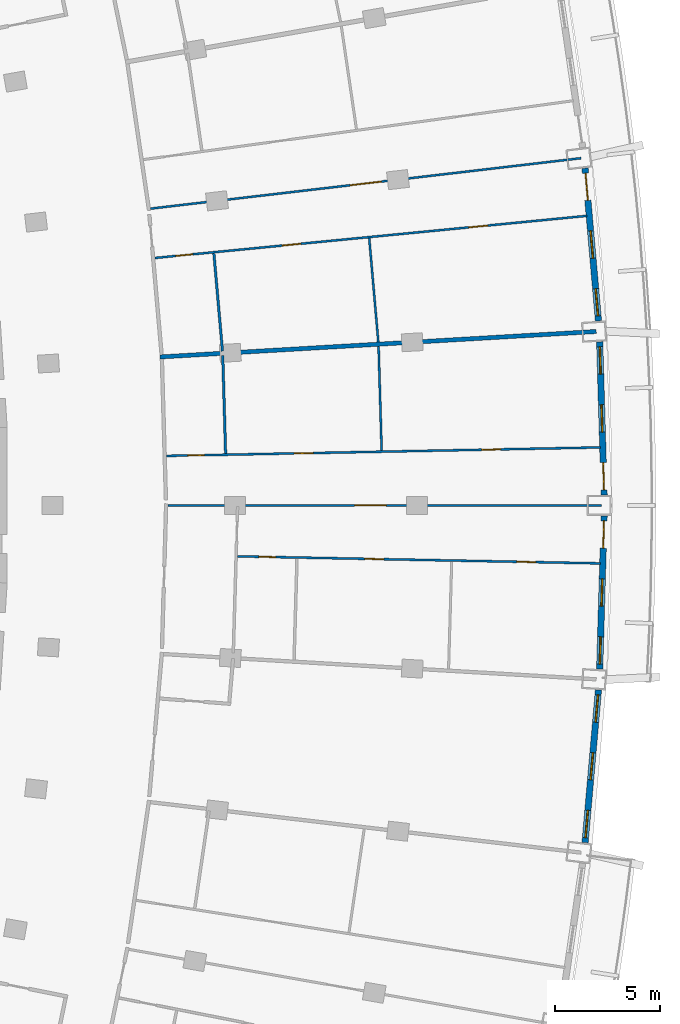
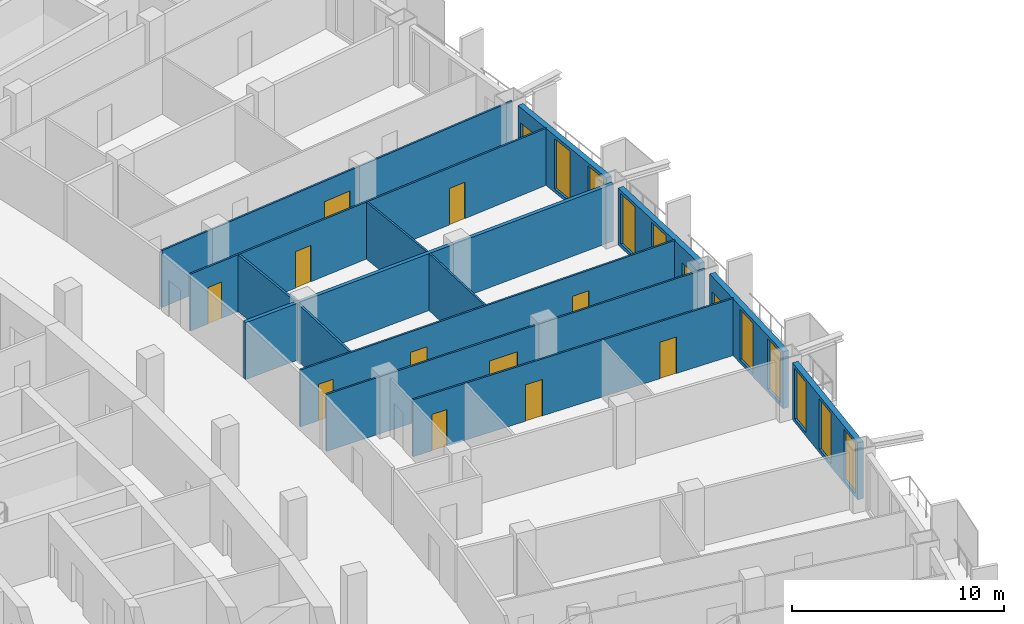
# One storey, part 18 of 25: 14 doors, 14 walls, 9 windows, 23 openings.
"""IFC4 building model written with IfcOpenShell, lengths in metres."""

from ifc_helpers import new_model, si_unit, direction, frame, frame_2d, origin, place, context, subcontext, project, spatial, rectangle, extrude, material, layer, layer_set, type_object, element, fill, save


model = new_model("IFC4")

# Units and contexts
model_context = context("Model", 3, precision=1e-05, world=origin(), true_north=direction((0.0, 1.0)))
body_context = subcontext(model_context, "Body", "Model", "MODEL_VIEW")
ifc_project = project(units=[si_unit("LENGTHUNIT", "METRE"), si_unit("AREAUNIT", "SQUARE_METRE"), si_unit("VOLUMEUNIT", "CUBIC_METRE"), si_unit("PLANEANGLEUNIT", "RADIAN"), si_unit("MASSUNIT", "GRAM", prefix="KILO")], contexts=[model_context])

# Site, building, storey
site_placement = place(None, origin())
site = spatial("IfcSite", under=ifc_project, at=site_placement, CompositionType="ELEMENT")
building_placement = place(site_placement, origin())
building = spatial("IfcBuilding", under=site, at=building_placement, Name="Alderwake Tower", CompositionType="ELEMENT")
storey_placement = place(building_placement, frame((0.0, 0.0, 86.0)))
storey = spatial("IfcBuildingStorey", under=building, at=storey_placement, Name="L20", CompositionType="ELEMENT", Elevation=86.0)

# Wall, openings, windows
ifc_material_1 = material(Name="Precast concrete C50/60 spandrel panel", Category="concrete")
ifc_layer_1 = layer(ifc_material_1, 0.300048828125)
ifc_layer_set_1 = layer_set([ifc_layer_1], Name="External wall EW1 Precast concrete C50/60 spandrel")
wall_type_1 = type_object("IfcWallType", Name="External wall EW1 Precast concrete C50/60 spandrel", PredefinedType="SOLIDWALL", material=ifc_layer_set_1)
wall_1_placement = place(storey_placement, frame((61.1279296875, 44.962158203125, 0.0), z_axis=(0.0, 0.0, 1.0), x_axis=(0.087408828745, 0.996172523541, 0.0)))
wall_1 = element("IfcWall", 1, at=wall_1_placement, inside=storey, type_object=wall_type_1, Name="External wall 15", PredefinedType="SOLIDWALL", context=body_context, shape_type="SweptSolid", body=[
    extrude(rectangle(XDim=7.287109375, YDim=0.300048828125, at=frame_2d((3.6435546875, 0.0))), origin(), (0.0, 0.0, 1.0), 3.280029296875),
])
opening_1_placement = place(wall_1_placement, frame((0.23681640625, 0.0, 0.199951171875)))
opening_1 = element("IfcOpeningElement", 2, at=opening_1_placement, cuts=wall_1, Name="Opening W1", PredefinedType="OPENING", context=body_context, shape_type="SweptSolid", body=[
    extrude(rectangle(XDim=1.300048828125, YDim=2.89990234375, at=frame_2d((0.64990234375, 1.449951171875))), frame((0.0, 0.159912109375, 0.0), z_axis=(0.0, -1.0, 0.0), x_axis=(1.0, 0.0, 0.0)), (0.0, 0.0, 1.0), 0.320068359375),
])
opening_2_placement = place(wall_1_placement, frame((2.99365234375, 0.0, 0.199951171875)))
opening_2 = element("IfcOpeningElement", 3, at=opening_2_placement, cuts=wall_1, Name="Opening W1", PredefinedType="OPENING", context=body_context, shape_type="SweptSolid", body=[
    extrude(rectangle(XDim=1.300048828125, YDim=2.89990234375, at=frame_2d((0.64990234375, 1.449951171875))), frame((0.0, 0.159912109375, 0.0), z_axis=(0.0, -1.0, 0.0), x_axis=(1.0, 0.0, 0.0)), (0.0, 0.0, 1.0), 0.320068359375),
])
opening_3_placement = place(wall_1_placement, frame((5.75048828125, 0.0, 0.199951171875)))
opening_3 = element("IfcOpeningElement", 4, at=opening_3_placement, cuts=wall_1, Name="Opening W1", PredefinedType="OPENING", context=body_context, shape_type="SweptSolid", body=[
    extrude(rectangle(XDim=1.300048828125, YDim=2.89990234375, at=frame_2d((0.64990234375, 1.449951171875))), frame((0.0, 0.159912109375, 0.0), z_axis=(0.0, -1.0, 0.0), x_axis=(1.0, 0.0, 0.0)), (0.0, 0.0, 1.0), 0.320068359375),
])
ifc_material_2 = material(Name="Bronze tinted glass in aluminium frame", Category="aluminium")
window_type = type_object("IfcWindowType", Name="Window W1 tall fixed and vent", PartitioningType="DOUBLE_PANEL_VERTICAL", PredefinedType="WINDOW", material=ifc_material_2)
window_1_placement = place(opening_1_placement, origin())
window_1 = element("IfcWindow", 5, at=window_1_placement, inside=storey, type_object=window_type, Name="Window W1 tall fixed and vent", OverallHeight=2.89990234375, OverallWidth=1.300048828125, PartitioningType="DOUBLE_PANEL_VERTICAL", PredefinedType="WINDOW", context=body_context, shape_type="SweptSolid", body=[
    extrude(rectangle(XDim=1.300048828125, YDim=2.89990234375, at=frame_2d((0.64990234375, 1.449951171875))), frame((0.0, 0.030029296875, 0.0), z_axis=(0.0, -1.0, 0.0), x_axis=(1.0, 0.0, 0.0)), (0.0, 0.0, 1.0), 0.06005859375),
])
fill(opening_1, window_1)
window_2_placement = place(opening_2_placement, origin())
window_2 = element("IfcWindow", 6, at=window_2_placement, inside=storey, type_object=window_type, Name="Window W1 tall fixed and vent", OverallHeight=2.89990234375, OverallWidth=1.300048828125, PartitioningType="DOUBLE_PANEL_VERTICAL", PredefinedType="WINDOW", context=body_context, shape_type="SweptSolid", body=[
    extrude(rectangle(XDim=1.300048828125, YDim=2.89990234375, at=frame_2d((0.64990234375, 1.449951171875))), frame((0.0, 0.030029296875, 0.0), z_axis=(0.0, -1.0, 0.0), x_axis=(1.0, 0.0, 0.0)), (0.0, 0.0, 1.0), 0.06005859375),
])
fill(opening_2, window_2)
window_3_placement = place(opening_3_placement, origin())
window_3 = element("IfcWindow", 7, at=window_3_placement, inside=storey, type_object=window_type, Name="Window W1 tall fixed and vent", OverallHeight=2.89990234375, OverallWidth=1.300048828125, PartitioningType="DOUBLE_PANEL_VERTICAL", PredefinedType="WINDOW", context=body_context, shape_type="SweptSolid", body=[
    extrude(rectangle(XDim=1.300048828125, YDim=2.89990234375, at=frame_2d((0.64990234375, 1.449951171875))), frame((0.0, 0.030029296875, 0.0), z_axis=(0.0, -1.0, 0.0), x_axis=(1.0, 0.0, 0.0)), (0.0, 0.0, 1.0), 0.06005859375),
])
fill(opening_3, window_3)

# Wall, openings, door, windows
wall_2_placement = place(storey_placement, frame((61.822998046875, 53.217041015625, 0.0), z_axis=(0.0, 0.0, 1.0), x_axis=(0.029146039904, 0.999575163936, 0.0)))
wall_2 = element("IfcWall", 8, at=wall_2_placement, inside=storey, type_object=wall_type_1, Name="External wall 16", PredefinedType="SOLIDWALL", context=body_context, shape_type="SweptSolid", body=[
    extrude(rectangle(XDim=7.28759765625, YDim=0.300048828125, at=frame_2d((3.643798828125, 0.0))), origin(), (0.0, 0.0, 1.0), 3.280029296875),
])
opening_4_placement = place(wall_2_placement, frame((0.23681640625, 0.0, 0.199951171875)))
opening_4 = element("IfcOpeningElement", 9, at=opening_4_placement, cuts=wall_2, Name="Opening W1", PredefinedType="OPENING", context=body_context, shape_type="SweptSolid", body=[
    extrude(rectangle(XDim=1.300048828125, YDim=2.89990234375, at=frame_2d((0.64990234375, 1.449951171875))), frame((0.0, 0.159912109375, 0.0), z_axis=(0.0, -1.0, 0.0), x_axis=(1.0, 0.0, 0.0)), (0.0, 0.0, 1.0), 0.320068359375),
])
opening_5_placement = place(wall_2_placement, frame((2.99365234375, 0.0, 0.199951171875)))
opening_5 = element("IfcOpeningElement", 10, at=opening_5_placement, cuts=wall_2, Name="Opening W1", PredefinedType="OPENING", context=body_context, shape_type="SweptSolid", body=[
    extrude(rectangle(XDim=1.300048828125, YDim=2.89990234375, at=frame_2d((0.64990234375, 1.449951171875))), frame((0.0, 0.159912109375, 0.0), z_axis=(0.0, -1.0, 0.0), x_axis=(1.0, 0.0, 0.0)), (0.0, 0.0, 1.0), 0.320068359375),
])
opening_6_placement = place(wall_2_placement, frame((5.75048828125, 0.0, 0.0)))
opening_6 = element("IfcOpeningElement", 11, at=opening_6_placement, cuts=wall_2, Name="Opening D06", PredefinedType="OPENING", context=body_context, shape_type="SweptSolid", body=[
    extrude(rectangle(XDim=1.300048828125, YDim=2.39990234375, at=frame_2d((0.64990234375, 1.199951171875))), frame((0.0, 0.159912109375, 0.0), z_axis=(0.0, -1.0, 0.0), x_axis=(1.0, 0.0, 0.0)), (0.0, 0.0, 1.0), 0.320068359375),
])
ifc_material_3 = material(Name="Bronze tinted glass in aluminium frame", Category="aluminium")
door_type_1 = type_object("IfcDoorType", Name="Balcony door BD sliding", OperationType="SLIDING_TO_LEFT", PredefinedType="DOOR", material=ifc_material_3)
door_1_placement = place(opening_6_placement, origin())
door_1 = element("IfcDoor", 12, at=door_1_placement, inside=storey, type_object=door_type_1, Name="Door D06", OperationType="SLIDING_TO_LEFT", OverallHeight=2.39990234375, OverallWidth=1.300048828125, PredefinedType="DOOR", context=body_context, shape_type="SweptSolid", body=[
    extrude(rectangle(XDim=1.300048828125, YDim=2.39990234375, at=frame_2d((0.64990234375, 1.199951171875))), frame((0.0, 0.02490234375, 0.0), z_axis=(0.0, -1.0, 0.0), x_axis=(1.0, 0.0, 0.0)), (0.0, 0.0, 1.0), 0.050048828125),
])
fill(opening_6, door_1)
window_4_placement = place(opening_4_placement, origin())
window_4 = element("IfcWindow", 13, at=window_4_placement, inside=storey, type_object=window_type, Name="Window W1 tall fixed and vent", OverallHeight=2.89990234375, OverallWidth=1.300048828125, PartitioningType="DOUBLE_PANEL_VERTICAL", PredefinedType="WINDOW", context=body_context, shape_type="SweptSolid", body=[
    extrude(rectangle(XDim=1.300048828125, YDim=2.89990234375, at=frame_2d((0.64990234375, 1.449951171875))), frame((0.0, 0.030029296875, 0.0), z_axis=(0.0, -1.0, 0.0), x_axis=(1.0, 0.0, 0.0)), (0.0, 0.0, 1.0), 0.06005859375),
])
fill(opening_4, window_4)
window_5_placement = place(opening_5_placement, origin())
window_5 = element("IfcWindow", 14, at=window_5_placement, inside=storey, type_object=window_type, Name="Window W1 tall fixed and vent", OverallHeight=2.89990234375, OverallWidth=1.300048828125, PartitioningType="DOUBLE_PANEL_VERTICAL", PredefinedType="WINDOW", context=body_context, shape_type="SweptSolid", body=[
    extrude(rectangle(XDim=1.300048828125, YDim=2.89990234375, at=frame_2d((0.64990234375, 1.449951171875))), frame((0.0, 0.030029296875, 0.0), z_axis=(0.0, -1.0, 0.0), x_axis=(1.0, 0.0, 0.0)), (0.0, 0.0, 1.0), 0.06005859375),
])
fill(opening_5, window_5)

wall_3_placement = place(storey_placement, frame((62.035400390625, 61.49853515625, 0.0), z_axis=(0.0, 0.0, 1.0), x_axis=(-0.029146039904, 0.999575163936, 0.0)))
wall_3 = element("IfcWall", 15, at=wall_3_placement, inside=storey, type_object=wall_type_1, Name="External wall 17", PredefinedType="SOLIDWALL", context=body_context, shape_type="SweptSolid", body=[
    extrude(rectangle(XDim=7.28759765625, YDim=0.300048828125, at=frame_2d((3.643798828125, 0.0))), origin(), (0.0, 0.0, 1.0), 3.280029296875),
])
opening_7_placement = place(wall_3_placement, frame((0.23681640625, 0.0, 0.0)))
opening_7 = element("IfcOpeningElement", 16, at=opening_7_placement, cuts=wall_3, Name="Opening D07", PredefinedType="OPENING", context=body_context, shape_type="SweptSolid", body=[
    extrude(rectangle(XDim=1.300048828125, YDim=2.39990234375, at=frame_2d((0.64990234375, 1.199951171875))), frame((0.0, 0.159912109375, 0.0), z_axis=(0.0, -1.0, 0.0), x_axis=(1.0, 0.0, 0.0)), (0.0, 0.0, 1.0), 0.320068359375),
])
opening_8_placement = place(wall_3_placement, frame((2.99365234375, 0.0, 0.199951171875)))
opening_8 = element("IfcOpeningElement", 17, at=opening_8_placement, cuts=wall_3, Name="Opening W1", PredefinedType="OPENING", context=body_context, shape_type="SweptSolid", body=[
    extrude(rectangle(XDim=1.300048828125, YDim=2.89990234375, at=frame_2d((0.64990234375, 1.449951171875))), frame((0.0, 0.159912109375, 0.0), z_axis=(0.0, -1.0, 0.0), x_axis=(1.0, 0.0, 0.0)), (0.0, 0.0, 1.0), 0.320068359375),
])
opening_9_placement = place(wall_3_placement, frame((5.75048828125, 0.0, 0.199951171875)))
opening_9 = element("IfcOpeningElement", 18, at=opening_9_placement, cuts=wall_3, Name="Opening W1", PredefinedType="OPENING", context=body_context, shape_type="SweptSolid", body=[
    extrude(rectangle(XDim=1.300048828125, YDim=2.89990234375, at=frame_2d((0.64990234375, 1.449951171875))), frame((0.0, 0.159912109375, 0.0), z_axis=(0.0, -1.0, 0.0), x_axis=(1.0, 0.0, 0.0)), (0.0, 0.0, 1.0), 0.320068359375),
])
door_2_placement = place(opening_7_placement, origin())
door_2 = element("IfcDoor", 19, at=door_2_placement, inside=storey, type_object=door_type_1, Name="Door D07", OperationType="SLIDING_TO_LEFT", OverallHeight=2.39990234375, OverallWidth=1.300048828125, PredefinedType="DOOR", context=body_context, shape_type="SweptSolid", body=[
    extrude(rectangle(XDim=1.300048828125, YDim=2.39990234375, at=frame_2d((0.64990234375, 1.199951171875))), frame((0.0, 0.02490234375, 0.0), z_axis=(0.0, -1.0, 0.0), x_axis=(1.0, 0.0, 0.0)), (0.0, 0.0, 1.0), 0.050048828125),
])
fill(opening_7, door_2)
window_6_placement = place(opening_8_placement, origin())
window_6 = element("IfcWindow", 20, at=window_6_placement, inside=storey, type_object=window_type, Name="Window W1 tall fixed and vent", OverallHeight=2.89990234375, OverallWidth=1.300048828125, PartitioningType="DOUBLE_PANEL_VERTICAL", PredefinedType="WINDOW", context=body_context, shape_type="SweptSolid", body=[
    extrude(rectangle(XDim=1.300048828125, YDim=2.89990234375, at=frame_2d((0.64990234375, 1.449951171875))), frame((0.0, 0.030029296875, 0.0), z_axis=(0.0, -1.0, 0.0), x_axis=(1.0, 0.0, 0.0)), (0.0, 0.0, 1.0), 0.06005859375),
])
fill(opening_8, window_6)
window_7_placement = place(opening_9_placement, origin())
window_7 = element("IfcWindow", 21, at=window_7_placement, inside=storey, type_object=window_type, Name="Window W1 tall fixed and vent", OverallHeight=2.89990234375, OverallWidth=1.300048828125, PartitioningType="DOUBLE_PANEL_VERTICAL", PredefinedType="WINDOW", context=body_context, shape_type="SweptSolid", body=[
    extrude(rectangle(XDim=1.300048828125, YDim=2.89990234375, at=frame_2d((0.64990234375, 1.449951171875))), frame((0.0, 0.030029296875, 0.0), z_axis=(0.0, -1.0, 0.0), x_axis=(1.0, 0.0, 0.0)), (0.0, 0.0, 1.0), 0.06005859375),
])
fill(opening_9, window_7)

wall_4_placement = place(storey_placement, frame((61.764892578125, 69.778564453125, 0.0), z_axis=(0.0, 0.0, 1.0), x_axis=(-0.087408828745, 0.996172523541, 0.0)))
wall_4 = element("IfcWall", 22, at=wall_4_placement, inside=storey, type_object=wall_type_1, Name="External wall 18", PredefinedType="SOLIDWALL", context=body_context, shape_type="SweptSolid", body=[
    extrude(rectangle(XDim=7.287109375, YDim=0.300048828125, at=frame_2d((3.6435546875, 0.0))), origin(), (0.0, 0.0, 1.0), 3.280029296875),
])
opening_10_placement = place(wall_4_placement, frame((0.23681640625, 0.0, 0.199951171875)))
opening_10 = element("IfcOpeningElement", 23, at=opening_10_placement, cuts=wall_4, Name="Opening W1", PredefinedType="OPENING", context=body_context, shape_type="SweptSolid", body=[
    extrude(rectangle(XDim=1.300048828125, YDim=2.89990234375, at=frame_2d((0.64990234375, 1.449951171875))), frame((0.0, 0.159912109375, 0.0), z_axis=(0.0, -1.0, 0.0), x_axis=(1.0, 0.0, 0.0)), (0.0, 0.0, 1.0), 0.320068359375),
])
opening_11_placement = place(wall_4_placement, frame((2.99365234375, 0.0, 0.199951171875)))
opening_11 = element("IfcOpeningElement", 24, at=opening_11_placement, cuts=wall_4, Name="Opening W1", PredefinedType="OPENING", context=body_context, shape_type="SweptSolid", body=[
    extrude(rectangle(XDim=1.300048828125, YDim=2.89990234375, at=frame_2d((0.64990234375, 1.449951171875))), frame((0.0, 0.159912109375, 0.0), z_axis=(0.0, -1.0, 0.0), x_axis=(1.0, 0.0, 0.0)), (0.0, 0.0, 1.0), 0.320068359375),
])
opening_12_placement = place(wall_4_placement, frame((5.75048828125, 0.0, 0.0)))
opening_12 = element("IfcOpeningElement", 25, at=opening_12_placement, cuts=wall_4, Name="Opening D08", PredefinedType="OPENING", context=body_context, shape_type="SweptSolid", body=[
    extrude(rectangle(XDim=1.300048828125, YDim=2.39990234375, at=frame_2d((0.64990234375, 1.199951171875))), frame((0.0, 0.159912109375, 0.0), z_axis=(0.0, -1.0, 0.0), x_axis=(1.0, 0.0, 0.0)), (0.0, 0.0, 1.0), 0.320068359375),
])
door_3_placement = place(opening_12_placement, origin())
door_3 = element("IfcDoor", 26, at=door_3_placement, inside=storey, type_object=door_type_1, Name="Door D08", OperationType="SLIDING_TO_LEFT", OverallHeight=2.39990234375, OverallWidth=1.300048828125, PredefinedType="DOOR", context=body_context, shape_type="SweptSolid", body=[
    extrude(rectangle(XDim=1.300048828125, YDim=2.39990234375, at=frame_2d((0.64990234375, 1.199951171875))), frame((0.0, 0.02490234375, 0.0), z_axis=(0.0, -1.0, 0.0), x_axis=(1.0, 0.0, 0.0)), (0.0, 0.0, 1.0), 0.050048828125),
])
fill(opening_12, door_3)
window_8_placement = place(opening_10_placement, origin())
window_8 = element("IfcWindow", 27, at=window_8_placement, inside=storey, type_object=window_type, Name="Window W1 tall fixed and vent", OverallHeight=2.89990234375, OverallWidth=1.300048828125, PartitioningType="DOUBLE_PANEL_VERTICAL", PredefinedType="WINDOW", context=body_context, shape_type="SweptSolid", body=[
    extrude(rectangle(XDim=1.300048828125, YDim=2.89990234375, at=frame_2d((0.64990234375, 1.449951171875))), frame((0.0, 0.030029296875, 0.0), z_axis=(0.0, -1.0, 0.0), x_axis=(1.0, 0.0, 0.0)), (0.0, 0.0, 1.0), 0.06005859375),
])
fill(opening_10, window_8)
window_9_placement = place(opening_11_placement, origin())
window_9 = element("IfcWindow", 28, at=window_9_placement, inside=storey, type_object=window_type, Name="Window W1 tall fixed and vent", OverallHeight=2.89990234375, OverallWidth=1.300048828125, PartitioningType="DOUBLE_PANEL_VERTICAL", PredefinedType="WINDOW", context=body_context, shape_type="SweptSolid", body=[
    extrude(rectangle(XDim=1.300048828125, YDim=2.89990234375, at=frame_2d((0.64990234375, 1.449951171875))), frame((0.0, 0.030029296875, 0.0), z_axis=(0.0, -1.0, 0.0), x_axis=(1.0, 0.0, 0.0)), (0.0, 0.0, 1.0), 0.06005859375),
])
fill(opening_11, window_9)

# Wall
ifc_material_4 = material(Name="Dense block masonry wall", Category="masonry")
ifc_layer_2 = layer(ifc_material_4, 0.199951171875)
ifc_layer_set_2 = layer_set([ifc_layer_2], Name="Party wall 200")
wall_type_2 = type_object("IfcWallType", Name="Party wall 200", PredefinedType="SOLIDWALL", material=ifc_layer_set_2)
wall_5_placement = place(storey_placement, frame((61.658935546875, 69.27294921875, 0.0), z_axis=(0.0, 0.0, 1.0), x_axis=(-0.998301170221, -0.05826468515, 0.0)))
element("IfcWall", 29, at=wall_5_placement, inside=storey, type_object=wall_type_2, Name="WL/L20/W10", PredefinedType="SOLIDWALL", context=body_context, shape_type="SweptSolid", body=[
    extrude(rectangle(XDim=20.779296875, YDim=0.199951171875, at=frame_2d((10.3896484375, 0.0))), origin(), (0.0, 0.0, 1.0), 3.280029296875),
])

# Wall, openings, doors
ifc_material_5 = material(Name="Gypsum board on metal studs")
ifc_layer_3 = layer(ifc_material_5, 0.10009765625)
ifc_layer_set_3 = layer_set([ifc_layer_3], Name="Unit partition 100")
wall_type_3 = type_object("IfcWallType", Name="Unit partition 100", PredefinedType="PARTITIONING", material=ifc_layer_set_3)
wall_6_placement = place(storey_placement, frame((61.22705078125, 74.77490234375, 0.0), z_axis=(0.0, 0.0, 1.0), x_axis=(-0.995280953479, -0.097035167034, 0.0)))
wall_6 = element("IfcWall", 30, at=wall_6_placement, inside=storey, type_object=wall_type_3, Name="WL/L20/W70", PredefinedType="PARTITIONING", context=body_context, shape_type="SweptSolid", body=[
    extrude(rectangle(XDim=20.663818359375, YDim=0.10009765625, at=frame_2d((10.33203125, 0.0))), origin(), (0.0, 0.0, 1.0), 3.280029296875),
])
opening_13_placement = place(wall_6_placement, frame((13.681640625, 0.0, 0.0)))
opening_13 = element("IfcOpeningElement", 31, at=opening_13_placement, cuts=wall_6, Name="Opening R05-U07.1", PredefinedType="OPENING", context=body_context, shape_type="SweptSolid", body=[
    extrude(rectangle(XDim=0.89990234375, YDim=2.10009765625, at=frame_2d((0.449951171875, 1.050048828125))), frame((0.0, 0.06005859375, 0.0), z_axis=(0.0, -1.0, 0.0), x_axis=(1.0, 0.0, 0.0)), (0.0, 0.0, 1.0), 0.1201171875),
])
opening_14_placement = place(wall_6_placement, frame((18.85400390625, 0.0, 0.0)))
opening_14 = element("IfcOpeningElement", 32, at=opening_14_placement, cuts=wall_6, Name="Opening R05-U07.3", PredefinedType="OPENING", context=body_context, shape_type="SweptSolid", body=[
    extrude(rectangle(XDim=0.800048828125, YDim=2.10009765625, at=frame_2d((0.39990234375, 1.050048828125))), frame((0.0, 0.06005859375, 0.0), z_axis=(0.0, -1.0, 0.0), x_axis=(1.0, 0.0, 0.0)), (0.0, 0.0, 1.0), 0.1201171875),
])
opening_15_placement = place(wall_6_placement, frame((4.759765625, 0.0, 0.0)))
opening_15 = element("IfcOpeningElement", 33, at=opening_15_placement, cuts=wall_6, Name="Opening R05-U07.4", PredefinedType="OPENING", context=body_context, shape_type="SweptSolid", body=[
    extrude(rectangle(XDim=0.89990234375, YDim=2.10009765625, at=frame_2d((0.449951171875, 1.050048828125))), frame((0.0, 0.06005859375, 0.0), z_axis=(0.0, -1.0, 0.0), x_axis=(1.0, 0.0, 0.0)), (0.0, 0.0, 1.0), 0.1201171875),
])
ifc_material_6 = material(Name="Painted timber leaf", Category="wood")
door_type_2 = type_object("IfcDoorType", Name="Bathroom door 800", OperationType="SINGLE_SWING_LEFT", PredefinedType="DOOR", material=ifc_material_6)
door_4_placement = place(opening_14_placement, origin())
door_4 = element("IfcDoor", 34, at=door_4_placement, inside=storey, type_object=door_type_2, Name="DR/L20/U07.3", OperationType="SINGLE_SWING_LEFT", OverallHeight=2.10009765625, OverallWidth=0.800048828125, PredefinedType="DOOR", context=body_context, shape_type="SweptSolid", body=[
    extrude(rectangle(XDim=0.800048828125, YDim=2.10009765625, at=frame_2d((0.39990234375, 1.050048828125))), frame((0.0, 0.02490234375, 0.0), z_axis=(0.0, -1.0, 0.0), x_axis=(1.0, 0.0, 0.0)), (0.0, 0.0, 1.0), 0.050048828125),
])
fill(opening_14, door_4)
ifc_material_7 = material(Name="Painted timber leaf", Category="wood")
door_type_3 = type_object("IfcDoorType", Name="Room door 900", OperationType="SINGLE_SWING_LEFT", PredefinedType="DOOR", material=ifc_material_7)
door_5_placement = place(opening_13_placement, origin())
door_5 = element("IfcDoor", 35, at=door_5_placement, inside=storey, type_object=door_type_3, Name="DR/L20/U07.1", OperationType="SINGLE_SWING_LEFT", OverallHeight=2.10009765625, OverallWidth=0.89990234375, PredefinedType="DOOR", context=body_context, shape_type="SweptSolid", body=[
    extrude(rectangle(XDim=0.89990234375, YDim=2.10009765625, at=frame_2d((0.449951171875, 1.050048828125))), frame((0.0, 0.02490234375, 0.0), z_axis=(0.0, -1.0, 0.0), x_axis=(1.0, 0.0, 0.0)), (0.0, 0.0, 1.0), 0.050048828125),
])
fill(opening_13, door_5)
door_6_placement = place(opening_15_placement, origin())
door_6 = element("IfcDoor", 36, at=door_6_placement, inside=storey, type_object=door_type_3, Name="DR/L20/U07.4", OperationType="SINGLE_SWING_LEFT", OverallHeight=2.10009765625, OverallWidth=0.89990234375, PredefinedType="DOOR", context=body_context, shape_type="SweptSolid", body=[
    extrude(rectangle(XDim=0.89990234375, YDim=2.10009765625, at=frame_2d((0.449951171875, 1.050048828125))), frame((0.0, 0.02490234375, 0.0), z_axis=(0.0, -1.0, 0.0), x_axis=(1.0, 0.0, 0.0)), (0.0, 0.0, 1.0), 0.050048828125),
])
fill(opening_15, door_6)

wall_7_placement = place(storey_placement, frame((41.2099609375, 63.355712890625, 0.0), z_axis=(0.0, 0.0, 1.0), x_axis=(0.999809484555, 0.019519082812, 0.0)))
wall_7 = element("IfcWall", 37, at=wall_7_placement, inside=storey, type_object=wall_type_3, Name="WL/L20/W71", PredefinedType="PARTITIONING", context=body_context, shape_type="SweptSolid", body=[
    extrude(rectangle(XDim=20.662841796875, YDim=0.10009765625, at=frame_2d((10.33154296875, 0.0))), origin(), (0.0, 0.0, 1.0), 3.280029296875),
])
opening_16_placement = place(wall_7_placement, frame((6.082763671875, 0.0, 0.0)))
opening_16 = element("IfcOpeningElement", 38, at=opening_16_placement, cuts=wall_7, Name="Opening R05-U06.6", PredefinedType="OPENING", context=body_context, shape_type="SweptSolid", body=[
    extrude(rectangle(XDim=0.89990234375, YDim=2.10009765625, at=frame_2d((0.449951171875, 1.050048828125))), frame((0.0, 0.06005859375, 0.0), z_axis=(0.0, -1.0, 0.0), x_axis=(1.0, 0.0, 0.0)), (0.0, 0.0, 1.0), 0.1201171875),
])
opening_17_placement = place(wall_7_placement, frame((1.010009765625, 0.0, 0.0)))
opening_17 = element("IfcOpeningElement", 39, at=opening_17_placement, cuts=wall_7, Name="Opening R05-U06.7", PredefinedType="OPENING", context=body_context, shape_type="SweptSolid", body=[
    extrude(rectangle(XDim=0.800048828125, YDim=2.10009765625, at=frame_2d((0.39990234375, 1.050048828125))), frame((0.0, 0.06005859375, 0.0), z_axis=(0.0, -1.0, 0.0), x_axis=(1.0, 0.0, 0.0)), (0.0, 0.0, 1.0), 0.1201171875),
])
opening_18_placement = place(wall_7_placement, frame((15.004150390625, 0.0, 0.0)))
opening_18 = element("IfcOpeningElement", 40, at=opening_18_placement, cuts=wall_7, Name="Opening R05-U06.8", PredefinedType="OPENING", context=body_context, shape_type="SweptSolid", body=[
    extrude(rectangle(XDim=0.89990234375, YDim=2.10009765625, at=frame_2d((0.449951171875, 1.050048828125))), frame((0.0, 0.06005859375, 0.0), z_axis=(0.0, -1.0, 0.0), x_axis=(1.0, 0.0, 0.0)), (0.0, 0.0, 1.0), 0.1201171875),
])
door_7_placement = place(opening_17_placement, origin())
door_7 = element("IfcDoor", 41, at=door_7_placement, inside=storey, type_object=door_type_2, Name="DR/L20/U06.7", OperationType="SINGLE_SWING_LEFT", OverallHeight=2.10009765625, OverallWidth=0.800048828125, PredefinedType="DOOR", context=body_context, shape_type="SweptSolid", body=[
    extrude(rectangle(XDim=0.800048828125, YDim=2.10009765625, at=frame_2d((0.39990234375, 1.050048828125))), frame((0.0, 0.02490234375, 0.0), z_axis=(0.0, -1.0, 0.0), x_axis=(1.0, 0.0, 0.0)), (0.0, 0.0, 1.0), 0.050048828125),
])
fill(opening_17, door_7)
door_8_placement = place(opening_16_placement, origin())
door_8 = element("IfcDoor", 42, at=door_8_placement, inside=storey, type_object=door_type_3, Name="DR/L20/U06.6", OperationType="SINGLE_SWING_LEFT", OverallHeight=2.10009765625, OverallWidth=0.89990234375, PredefinedType="DOOR", context=body_context, shape_type="SweptSolid", body=[
    extrude(rectangle(XDim=0.89990234375, YDim=2.10009765625, at=frame_2d((0.449951171875, 1.050048828125))), frame((0.0, 0.02490234375, 0.0), z_axis=(0.0, -1.0, 0.0), x_axis=(1.0, 0.0, 0.0)), (0.0, 0.0, 1.0), 0.050048828125),
])
fill(opening_16, door_8)
door_9_placement = place(opening_18_placement, origin())
door_9 = element("IfcDoor", 43, at=door_9_placement, inside=storey, type_object=door_type_3, Name="DR/L20/U06.8", OperationType="SINGLE_SWING_LEFT", OverallHeight=2.10009765625, OverallWidth=0.89990234375, PredefinedType="DOOR", context=body_context, shape_type="SweptSolid", body=[
    extrude(rectangle(XDim=0.89990234375, YDim=2.10009765625, at=frame_2d((0.449951171875, 1.050048828125))), frame((0.0, 0.02490234375, 0.0), z_axis=(0.0, -1.0, 0.0), x_axis=(1.0, 0.0, 0.0)), (0.0, 0.0, 1.0), 0.050048828125),
])
fill(opening_18, door_9)

# Wall, opening, door
wall_8_placement = place(storey_placement, frame((41.279052734375, 60.9990234375, 0.0), z_axis=(0.0, 0.0, 1.0), x_axis=(1.0, 0.0, 0.0)))
wall_8 = element("IfcWall", 44, at=wall_8_placement, inside=storey, type_object=wall_type_3, Name="WL/L20/W72", PredefinedType="PARTITIONING", context=body_context, shape_type="SweptSolid", body=[
    extrude(rectangle(XDim=20.619873046875, YDim=0.10009765625, at=frame_2d((10.31005859375, 0.0))), origin(), (0.0, 0.0, 1.0), 3.280029296875),
])
opening_19_placement = place(wall_8_placement, frame((8.886474609375, 0.0, 0.0)))
opening_19 = element("IfcOpeningElement", 45, at=opening_19_placement, cuts=wall_8, Name="Opening R05-U06.9", PredefinedType="OPENING", context=body_context, shape_type="SweptSolid", body=[
    extrude(rectangle(XDim=1.5, YDim=2.10009765625, at=frame_2d((0.75, 1.050048828125))), frame((0.0, 0.06005859375, 0.0), z_axis=(0.0, -1.0, 0.0), x_axis=(1.0, 0.0, 0.0)), (0.0, 0.0, 1.0), 0.1201171875),
])
ifc_material_8 = material(Name="Painted timber leaves", Category="wood")
door_type_4 = type_object("IfcDoorType", Name="Double leaf door 1500", OperationType="DOUBLE_DOOR_SINGLE_SWING", PredefinedType="DOOR", material=ifc_material_8)
door_10_placement = place(opening_19_placement, origin())
door_10 = element("IfcDoor", 46, at=door_10_placement, inside=storey, type_object=door_type_4, Name="DR/L20/U06.9", OperationType="DOUBLE_DOOR_SINGLE_SWING", OverallHeight=2.10009765625, OverallWidth=1.5, PredefinedType="DOOR", context=body_context, shape_type="SweptSolid", body=[
    extrude(rectangle(XDim=1.5, YDim=2.10009765625, at=frame_2d((0.75, 1.050048828125))), frame((0.0, 0.02490234375, 0.0), z_axis=(0.0, -1.0, 0.0), x_axis=(1.0, 0.0, 0.0)), (0.0, 0.0, 1.0), 0.050048828125),
])
fill(opening_19, door_10)

# Wall, openings, doors
wall_9_placement = place(storey_placement, frame((61.868896484375, 58.241943359375, 0.0), z_axis=(0.0, 0.0, 1.0), x_axis=(-0.999812172455, 0.019380913569, 0.0)))
wall_9 = element("IfcWall", 47, at=wall_9_placement, inside=storey, type_object=wall_type_3, Name="WL/L20/W73", PredefinedType="PARTITIONING", context=body_context, shape_type="SweptSolid", body=[
    extrude(rectangle(XDim=17.282958984375, YDim=0.10009765625, at=frame_2d((8.6416015625, 0.0))), origin(), (0.0, 0.0, 1.0), 3.280029296875),
])
opening_20_placement = place(wall_9_placement, frame((10.31396484375, 0.0, 0.0)))
opening_20 = element("IfcOpeningElement", 48, at=opening_20_placement, cuts=wall_9, Name="Opening R05-U06.1", PredefinedType="OPENING", context=body_context, shape_type="SweptSolid", body=[
    extrude(rectangle(XDim=0.89990234375, YDim=2.10009765625, at=frame_2d((0.449951171875, 1.050048828125))), frame((0.0, 0.06005859375, 0.0), z_axis=(0.0, -1.0, 0.0), x_axis=(1.0, 0.0, 0.0)), (0.0, 0.0, 1.0), 0.1201171875),
])
opening_21_placement = place(wall_9_placement, frame((15.463623046875, 0.0, 0.0)))
opening_21 = element("IfcOpeningElement", 49, at=opening_21_placement, cuts=wall_9, Name="Opening R05-U06.4", PredefinedType="OPENING", context=body_context, shape_type="SweptSolid", body=[
    extrude(rectangle(XDim=0.800048828125, YDim=2.10009765625, at=frame_2d((0.39990234375, 1.050048828125))), frame((0.0, 0.06005859375, 0.0), z_axis=(0.0, -1.0, 0.0), x_axis=(1.0, 0.0, 0.0)), (0.0, 0.0, 1.0), 0.1201171875),
])
opening_22_placement = place(wall_9_placement, frame((3.091796875, 0.0, 0.0)))
opening_22 = element("IfcOpeningElement", 50, at=opening_22_placement, cuts=wall_9, Name="Opening R05-U06.5", PredefinedType="OPENING", context=body_context, shape_type="SweptSolid", body=[
    extrude(rectangle(XDim=0.89990234375, YDim=2.10009765625, at=frame_2d((0.449951171875, 1.050048828125))), frame((0.0, 0.06005859375, 0.0), z_axis=(0.0, -1.0, 0.0), x_axis=(1.0, 0.0, 0.0)), (0.0, 0.0, 1.0), 0.1201171875),
])
door_11_placement = place(opening_21_placement, origin())
door_11 = element("IfcDoor", 51, at=door_11_placement, inside=storey, type_object=door_type_2, Name="DR/L20/U06.4", OperationType="SINGLE_SWING_LEFT", OverallHeight=2.10009765625, OverallWidth=0.800048828125, PredefinedType="DOOR", context=body_context, shape_type="SweptSolid", body=[
    extrude(rectangle(XDim=0.800048828125, YDim=2.10009765625, at=frame_2d((0.39990234375, 1.050048828125))), frame((0.0, 0.02490234375, 0.0), z_axis=(0.0, -1.0, 0.0), x_axis=(1.0, 0.0, 0.0)), (0.0, 0.0, 1.0), 0.050048828125),
])
fill(opening_21, door_11)
door_12_placement = place(opening_20_placement, origin())
door_12 = element("IfcDoor", 52, at=door_12_placement, inside=storey, type_object=door_type_3, Name="DR/L20/U06.1", OperationType="SINGLE_SWING_LEFT", OverallHeight=2.10009765625, OverallWidth=0.89990234375, PredefinedType="DOOR", context=body_context, shape_type="SweptSolid", body=[
    extrude(rectangle(XDim=0.89990234375, YDim=2.10009765625, at=frame_2d((0.449951171875, 1.050048828125))), frame((0.0, 0.02490234375, 0.0), z_axis=(0.0, -1.0, 0.0), x_axis=(1.0, 0.0, 0.0)), (0.0, 0.0, 1.0), 0.050048828125),
])
fill(opening_20, door_12)
door_13_placement = place(opening_22_placement, origin())
door_13 = element("IfcDoor", 53, at=door_13_placement, inside=storey, type_object=door_type_3, Name="DR/L20/U06.5", OperationType="SINGLE_SWING_LEFT", OverallHeight=2.10009765625, OverallWidth=0.89990234375, PredefinedType="DOOR", context=body_context, shape_type="SweptSolid", body=[
    extrude(rectangle(XDim=0.89990234375, YDim=2.10009765625, at=frame_2d((0.449951171875, 1.050048828125))), frame((0.0, 0.02490234375, 0.0), z_axis=(0.0, -1.0, 0.0), x_axis=(1.0, 0.0, 0.0)), (0.0, 0.0, 1.0), 0.050048828125),
])
fill(opening_22, door_13)

# Walls
wall_10_placement = place(storey_placement, frame((51.294189453125, 68.7666015625, 0.0), z_axis=(0.0, 0.0, 1.0), x_axis=(-0.087352937881, 0.996177426086, 0.0)))
element("IfcWall", 54, at=wall_10_placement, inside=storey, type_object=wall_type_3, Name="WL/L20/W82", PredefinedType="PARTITIONING", context=body_context, shape_type="SweptSolid", body=[
    extrude(rectangle(XDim=4.966552734375, YDim=0.10009765625, at=frame_2d((2.4833984375, 0.0))), origin(), (0.0, 0.0, 1.0), 3.280029296875),
])
wall_11_placement = place(storey_placement, frame((51.451416015625, 63.60498046875, 0.0), z_axis=(0.0, 0.0, 1.0), x_axis=(-0.029312335146, 0.999570301184, 0.0)))
element("IfcWall", 55, at=wall_11_placement, inside=storey, type_object=wall_type_3, Name="WL/L20/W83", PredefinedType="PARTITIONING", context=body_context, shape_type="SweptSolid", body=[
    extrude(rectangle(XDim=4.964111328125, YDim=0.10009765625, at=frame_2d((2.48193359375, 0.0))), origin(), (0.0, 0.0, 1.0), 3.280029296875),
])

# Wall, opening, door
wall_12_placement = place(storey_placement, frame((40.45654296875, 75.1171875, 0.0), z_axis=(0.0, 0.0, 1.0), x_axis=(0.993203681346, 0.116389206376, 0.0)))
wall_12 = element("IfcWall", 56, at=wall_12_placement, inside=storey, type_object=wall_type_3, Name="WL/L20/W86", PredefinedType="PARTITIONING", context=body_context, shape_type="SweptSolid", body=[
    extrude(rectangle(XDim=20.61962890625, YDim=0.10009765625, at=frame_2d((10.309814453125, 0.0))), origin(), (0.0, 0.0, 1.0), 3.280029296875),
])
opening_23_placement = place(wall_12_placement, frame((9.5595703125, 0.0, 0.0)))
opening_23 = element("IfcOpeningElement", 57, at=opening_23_placement, cuts=wall_12, Name="Opening R05-U07.8", PredefinedType="OPENING", context=body_context, shape_type="SweptSolid", body=[
    extrude(rectangle(XDim=1.5, YDim=2.10009765625, at=frame_2d((0.75, 1.050048828125))), frame((0.0, 0.06005859375, 0.0), z_axis=(0.0, -1.0, 0.0), x_axis=(1.0, 0.0, 0.0)), (0.0, 0.0, 1.0), 0.1201171875),
])
door_14_placement = place(opening_23_placement, origin())
door_14 = element("IfcDoor", 58, at=door_14_placement, inside=storey, type_object=door_type_4, Name="DR/L20/U07.8", OperationType="DOUBLE_DOOR_SINGLE_SWING", OverallHeight=2.10009765625, OverallWidth=1.5, PredefinedType="DOOR", context=body_context, shape_type="SweptSolid", body=[
    extrude(rectangle(XDim=1.5, YDim=2.10009765625, at=frame_2d((0.75, 1.050048828125))), frame((0.0, 0.02490234375, 0.0), z_axis=(0.0, -1.0, 0.0), x_axis=(1.0, 0.0, 0.0)), (0.0, 0.0, 1.0), 0.050048828125),
])
fill(opening_23, door_14)

# Walls
ifc_material_9 = material(Name="Moisture resistant gypsum board on metal studs")
ifc_layer_4 = layer(ifc_material_9, 0.1201171875)
ifc_layer_set_4 = layer_set([ifc_layer_4], Name="Wet room partition 120")
wall_type_4 = type_object("IfcWallType", Name="Wet room partition 120", PredefinedType="PARTITIONING", material=ifc_layer_set_4)
wall_13_placement = place(storey_placement, frame((43.881103515625, 68.334716796875, 0.0), z_axis=(0.0, 0.0, 1.0), x_axis=(-0.087639255618, 0.996152277955, 0.0)))
element("IfcWall", 59, at=wall_13_placement, inside=storey, type_object=wall_type_4, Name="WL/L20/W58", PredefinedType="PARTITIONING", context=body_context, shape_type="SweptSolid", body=[
    extrude(rectangle(XDim=4.674560546875, YDim=0.1201171875, at=frame_2d((2.33740234375, 0.0))), origin(), (0.0, 0.0, 1.0), 3.280029296875),
])
wall_14_placement = place(storey_placement, frame((44.029541015625, 63.4609375, 0.0), z_axis=(0.0, 0.0, 1.0), x_axis=(-0.029237951874, 0.999572479698, 0.0)))
element("IfcWall", 60, at=wall_14_placement, inside=storey, type_object=wall_type_4, Name="WL/L20/W59", PredefinedType="PARTITIONING", context=body_context, shape_type="SweptSolid", body=[
    extrude(rectangle(XDim=4.676025390625, YDim=0.1201171875, at=frame_2d((2.337890625, 0.0))), origin(), (0.0, 0.0, 1.0), 3.280029296875),
])

save(model, "model.ifc")
